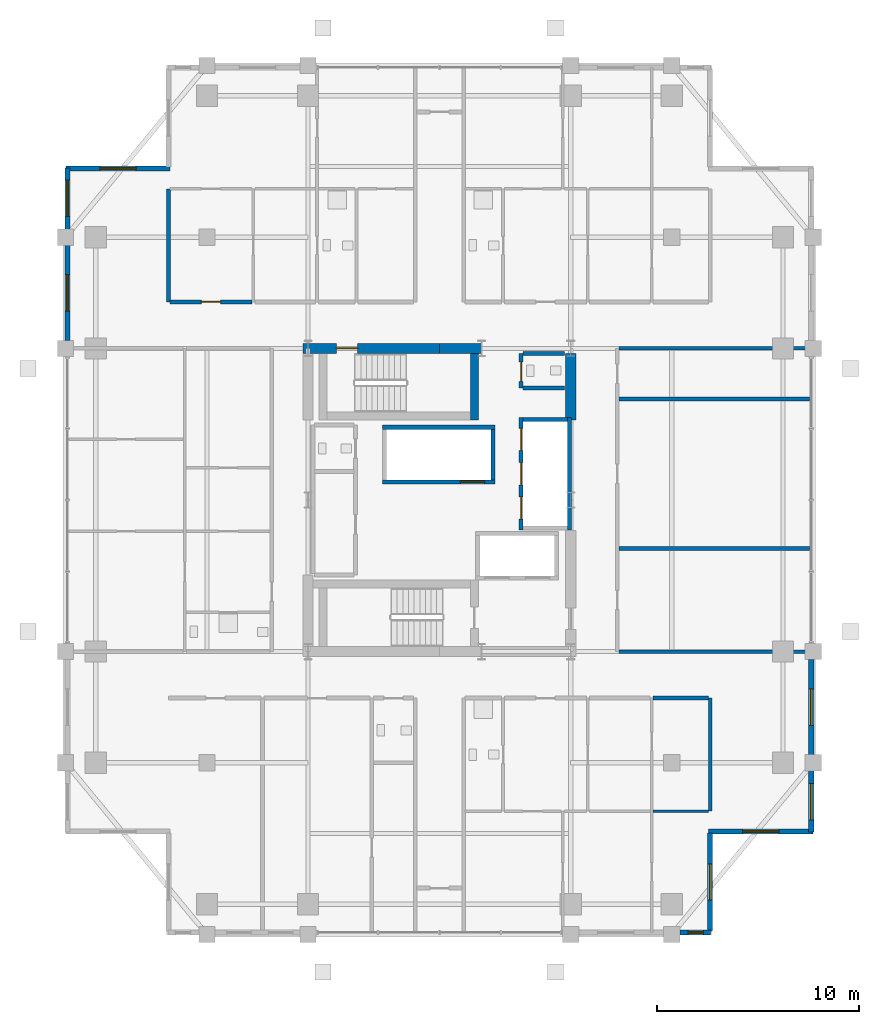
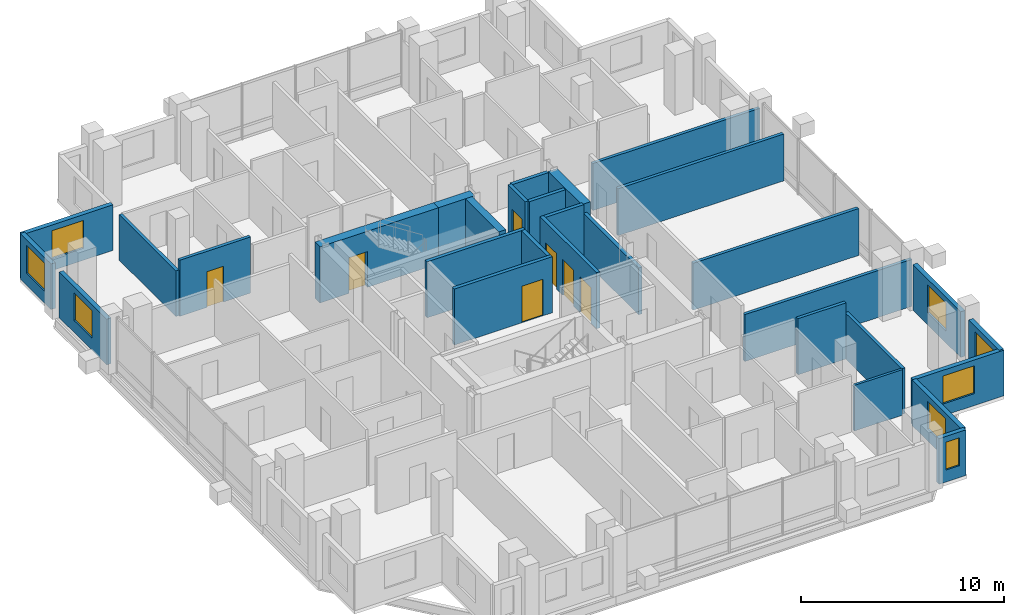
# One storey, part 20 of 24: 30 walls, 8 windows, 7 doors, 15 openings.
"""IFC4 building model written with IfcOpenShell, lengths in metres."""

from ifc_helpers import new_model, si_unit, direction, frame, frame_2d, origin, place, context, subcontext, project, spatial, rectangle, extrude, material, layer, layer_set, type_object, element, fill, save


model = new_model("IFC4")

# Units and contexts
model_context = context("Model", 3, precision=1e-05, world=origin(), true_north=direction((0.0, 1.0)))
body_context = subcontext(model_context, "Body", "Model", "MODEL_VIEW")
ifc_project = project(units=[si_unit("LENGTHUNIT", "METRE"), si_unit("AREAUNIT", "SQUARE_METRE"), si_unit("VOLUMEUNIT", "CUBIC_METRE"), si_unit("PLANEANGLEUNIT", "RADIAN"), si_unit("MASSUNIT", "GRAM", prefix="KILO")], contexts=[model_context])

# Site, building, storey
site_placement = place(None, origin())
site = spatial("IfcSite", under=ifc_project, at=site_placement, CompositionType="ELEMENT")
building_placement = place(site_placement, origin())
building = spatial("IfcBuilding", under=site, at=building_placement, Name="Barlavira Tower and Art Museum", CompositionType="ELEMENT")
storey_placement = place(building_placement, frame((0.0, 0.0, 190.800048828125)))
storey = spatial("IfcBuildingStorey", under=building, at=storey_placement, Name="L49", CompositionType="ELEMENT", Elevation=190.800048828125)

# Wall, opening, door
ifc_material_1 = material(Name="Concrete C60", Category="concrete")
ifc_layer_1 = layer(ifc_material_1, 0.5, Name="Concrete C60")
ifc_layer_set_1 = layer_set([ifc_layer_1], Name="Concrete C60")
wall_type_1 = type_object("IfcWallType", Name="Core Structural Shear Wall 500 Concrete C60", PredefinedType="SHEAR", material=ifc_layer_set_1)
wall_1_placement = place(storey_placement, frame((-6.75, 7.5, 0.0), z_axis=(0.0, 0.0, 1.0), x_axis=(1.0, 0.0, 0.0)))
wall_1 = element("IfcWall", 1, at=wall_1_placement, inside=storey, type_object=wall_type_1, Name="L49 Core Shear Wall CS-NW", PredefinedType="SHEAR", context=body_context, shape_type="SweptSolid", body=[
    extrude(rectangle(XDim=6.75, YDim=0.5, at=frame_2d((3.375, 0.0))), origin(), (0.0, 0.0, 1.0), 3.3798828125),
])
opening_1_placement = place(wall_1_placement, frame((1.64990234375, 0.0, 0.0)))
opening_1 = element("IfcOpeningElement", 2, at=opening_1_placement, cuts=wall_1, Name="Opening FD-90", PredefinedType="OPENING", context=body_context, shape_type="SweptSolid", body=[
    extrude(rectangle(XDim=1.050048828125, YDim=2.14990234375, at=frame_2d((0.52490234375, 1.074951171875))), frame((0.0, 0.260009765625, 0.0), z_axis=(0.0, -1.0, 0.0), x_axis=(1.0, 0.0, 0.0)), (0.0, 0.0, 1.0), 0.52001953125),
])
ifc_material_2 = material(Name="Brushed stainless steel", Category="steel")
door_type_1 = type_object("IfcDoorType", Name="Stair and Refuge Fire Door 1050x2150 FD90S", OperationType="NOTDEFINED", PredefinedType="DOOR", material=ifc_material_2)
door_1_placement = place(opening_1_placement, origin())
door_1 = element("IfcDoor", 3, at=door_1_placement, inside=storey, type_object=door_type_1, Name="L49 Stair ST-T2 Fire Door", OperationType="SINGLE_SWING_LEFT", OverallHeight=2.14990234375, OverallWidth=1.050048828125, PredefinedType="DOOR", context=body_context, shape_type="SweptSolid", body=[
    extrude(rectangle(XDim=1.050048828125, YDim=2.14990234375, at=frame_2d((0.52490234375, 1.074951171875))), frame((0.0, 0.02490234375, 0.0), z_axis=(0.0, -1.0, 0.0), x_axis=(1.0, 0.0, 0.0)), (0.0, 0.0, 1.0), 0.050048828125),
])
fill(opening_1, door_1)

# Walls
wall_2_placement = place(storey_placement, frame((0.0, 7.5, 0.0), z_axis=(0.0, 0.0, 1.0), x_axis=(1.0, 0.0, 0.0)))
element("IfcWall", 4, at=wall_2_placement, inside=storey, type_object=wall_type_1, Name="L49 Core Shear Wall CS-EN", PredefinedType="SHEAR", context=body_context, shape_type="SweptSolid", body=[
    extrude(rectangle(XDim=2.080078125, YDim=0.5, at=frame_2d((1.0400390625, 0.0))), origin(), (0.0, 0.0, 1.0), 3.3798828125),
])
wall_3_placement = place(storey_placement, frame((6.5, 3.949951171875, 0.0), z_axis=(0.0, 0.0, 1.0), x_axis=(0.0, 1.0, 0.0)))
element("IfcWall", 5, at=wall_3_placement, inside=storey, type_object=wall_type_1, Name="L49 Core Shear Wall CS-E2", PredefinedType="SHEAR", context=body_context, shape_type="SweptSolid", body=[
    extrude(rectangle(XDim=3.300048828125, YDim=0.5, at=frame_2d((1.64990234375, 0.0))), origin(), (0.0, 0.0, 1.0), 3.3798828125),
])

# Wall, openings, doors
ifc_material_3 = material(Name="Autoclaved aerated concrete masonry", Category="masonry")
ifc_layer_2 = layer(ifc_material_3, 0.199951171875, Name="Autoclaved aerated concrete masonry")
ifc_layer_set_2 = layer_set([ifc_layer_2], Name="Autoclaved aerated concrete masonry")
wall_type_2 = type_object("IfcWallType", Name="Fire Compartment and Shaft Wall 200", PredefinedType="SOLIDWALL", material=ifc_layer_set_2)
wall_4_placement = place(storey_placement, frame((4.050048828125, -1.489990234375, 0.0), z_axis=(0.0, 0.0, 1.0), x_axis=(0.0, 1.0, 0.0)))
wall_4 = element("IfcWall", 6, at=wall_4_placement, inside=storey, type_object=wall_type_2, Name="L49 Mid-Rise Lift Front Shaft Wall", PredefinedType="SOLIDWALL", context=body_context, shape_type="SweptSolid", body=[
    extrude(rectangle(XDim=5.580078125, YDim=0.199951171875, at=frame_2d((2.7900390625, 0.0))), origin(), (0.0, 0.0, 1.0), 3.3798828125),
])
opening_2_placement = place(wall_4_placement, frame((0.5400390625, 0.0, 0.0)))
opening_2 = element("IfcOpeningElement", 7, at=opening_2_placement, cuts=wall_4, Name="Opening LD-P", PredefinedType="OPENING", context=body_context, shape_type="SweptSolid", body=[
    extrude(rectangle(XDim=1.10009765625, YDim=2.14990234375, at=frame_2d((0.550048828125, 1.074951171875))), frame((0.0, 0.10986328125, 0.0), z_axis=(0.0, -1.0, 0.0), x_axis=(1.0, 0.0, 0.0)), (0.0, 0.0, 1.0), 0.219970703125),
])
opening_3_placement = place(wall_4_placement, frame((2.239990234375, 0.0, 0.0)))
opening_3 = element("IfcOpeningElement", 8, at=opening_3_placement, cuts=wall_4, Name="Opening LD-P", PredefinedType="OPENING", context=body_context, shape_type="SweptSolid", body=[
    extrude(rectangle(XDim=1.10009765625, YDim=2.14990234375, at=frame_2d((0.550048828125, 1.074951171875))), frame((0.0, 0.10986328125, 0.0), z_axis=(0.0, -1.0, 0.0), x_axis=(1.0, 0.0, 0.0)), (0.0, 0.0, 1.0), 0.219970703125),
])
opening_4_placement = place(wall_4_placement, frame((3.93994140625, 0.0, 0.0)))
opening_4 = element("IfcOpeningElement", 9, at=opening_4_placement, cuts=wall_4, Name="Opening LD-P", PredefinedType="OPENING", context=body_context, shape_type="SweptSolid", body=[
    extrude(rectangle(XDim=1.10009765625, YDim=2.14990234375, at=frame_2d((0.550048828125, 1.074951171875))), frame((0.0, 0.10986328125, 0.0), z_axis=(0.0, -1.0, 0.0), x_axis=(1.0, 0.0, 0.0)), (0.0, 0.0, 1.0), 0.219970703125),
])
door_type_2 = type_object("IfcDoorType", Name="Passenger Lift Sliding Landing Door 1100x2150 FD60", OperationType="NOTDEFINED", PredefinedType="DOOR", material=ifc_material_2)
door_2_placement = place(opening_2_placement, origin())
door_2 = element("IfcDoor", 10, at=door_2_placement, inside=storey, type_object=door_type_2, Name="L49 Lift PM1 Sliding Landing Door", OperationType="DOUBLE_DOOR_SLIDING", OverallHeight=2.14990234375, OverallWidth=1.10009765625, PredefinedType="DOOR", context=body_context, shape_type="SweptSolid", body=[
    extrude(rectangle(XDim=1.10009765625, YDim=2.14990234375, at=frame_2d((0.550048828125, 1.074951171875))), frame((0.0, 0.02490234375, 0.0), z_axis=(0.0, -1.0, 0.0), x_axis=(1.0, 0.0, 0.0)), (0.0, 0.0, 1.0), 0.050048828125),
])
fill(opening_2, door_2)
door_3_placement = place(opening_3_placement, origin())
door_3 = element("IfcDoor", 11, at=door_3_placement, inside=storey, type_object=door_type_2, Name="L49 Lift PM2 Sliding Landing Door", OperationType="DOUBLE_DOOR_SLIDING", OverallHeight=2.14990234375, OverallWidth=1.10009765625, PredefinedType="DOOR", context=body_context, shape_type="SweptSolid", body=[
    extrude(rectangle(XDim=1.10009765625, YDim=2.14990234375, at=frame_2d((0.550048828125, 1.074951171875))), frame((0.0, 0.02490234375, 0.0), z_axis=(0.0, -1.0, 0.0), x_axis=(1.0, 0.0, 0.0)), (0.0, 0.0, 1.0), 0.050048828125),
])
fill(opening_3, door_3)
door_4_placement = place(opening_4_placement, origin())
door_4 = element("IfcDoor", 12, at=door_4_placement, inside=storey, type_object=door_type_2, Name="L49 Lift PM3 Sliding Landing Door", OperationType="DOUBLE_DOOR_SLIDING", OverallHeight=2.14990234375, OverallWidth=1.10009765625, PredefinedType="DOOR", context=body_context, shape_type="SweptSolid", body=[
    extrude(rectangle(XDim=1.10009765625, YDim=2.14990234375, at=frame_2d((0.550048828125, 1.074951171875))), frame((0.0, 0.02490234375, 0.0), z_axis=(0.0, -1.0, 0.0), x_axis=(1.0, 0.0, 0.0)), (0.0, 0.0, 1.0), 0.050048828125),
])
fill(opening_4, door_4)

# Walls
wall_5_placement = place(storey_placement, frame((6.449951171875, -1.489990234375, 0.0), z_axis=(0.0, 0.0, 1.0), x_axis=(0.0, 1.0, 0.0)))
element("IfcWall", 13, at=wall_5_placement, inside=storey, type_object=wall_type_2, Name="L49 Mid-Rise Lift Back Shaft Wall", PredefinedType="SOLIDWALL", context=body_context, shape_type="SweptSolid", body=[
    extrude(rectangle(XDim=5.580078125, YDim=0.199951171875, at=frame_2d((2.7900390625, 0.0))), origin(), (0.0, 0.0, 1.0), 2.825927734375),
])
wall_6_placement = place(storey_placement, frame((4.14990234375, 3.989990234375, 0.0), z_axis=(0.0, 0.0, 1.0), x_axis=(1.0, 0.0, 0.0)))
element("IfcWall", 14, at=wall_6_placement, inside=storey, type_object=wall_type_2, Name="L49 Mid-Rise Lift North Shaft Wall", PredefinedType="SOLIDWALL", context=body_context, shape_type="SweptSolid", body=[
    extrude(rectangle(XDim=2.2001953125, YDim=0.199951171875, at=frame_2d((1.10009765625, 0.0))), origin(), (0.0, 0.0, 1.0), 3.3798828125),
])

# Wall, opening, door
wall_7_placement = place(storey_placement, frame((-2.820068359375, 0.89990234375, 0.0), z_axis=(0.0, 0.0, 1.0), x_axis=(1.0, 0.0, 0.0)))
wall_7 = element("IfcWall", 15, at=wall_7_placement, inside=storey, type_object=wall_type_2, Name="L49 High-Rise & Service Lift Front Wall", PredefinedType="SOLIDWALL", context=body_context, shape_type="SweptSolid", body=[
    extrude(rectangle(XDim=5.580078125, YDim=0.199951171875, at=frame_2d((2.7900390625, 0.0))), origin(), (0.0, 0.0, 1.0), 3.3798828125),
])
opening_5_placement = place(wall_7_placement, frame((3.860107421875, 0.0, 0.0)))
opening_5 = element("IfcOpeningElement", 16, at=opening_5_placement, cuts=wall_7, Name="Opening LD-F", PredefinedType="OPENING", context=body_context, shape_type="SweptSolid", body=[
    extrude(rectangle(XDim=1.199951171875, YDim=2.199951171875, at=frame_2d((0.60009765625, 1.10009765625))), frame((0.0, 0.10986328125, 0.0), z_axis=(0.0, -1.0, 0.0), x_axis=(1.0, 0.0, 0.0)), (0.0, 0.0, 1.0), 0.219970703125),
])
door_type_3 = type_object("IfcDoorType", Name="Firefighting and Service Lift Sliding Door 1200x2200 FD120", OperationType="NOTDEFINED", PredefinedType="DOOR", material=ifc_material_2)
door_5_placement = place(opening_5_placement, origin())
door_5 = element("IfcDoor", 17, at=door_5_placement, inside=storey, type_object=door_type_3, Name="L49 Stretcher Service Lift SL1 Sliding Door", OperationType="DOUBLE_DOOR_SLIDING", OverallHeight=2.199951171875, OverallWidth=1.199951171875, PredefinedType="DOOR", context=body_context, shape_type="SweptSolid", body=[
    extrude(rectangle(XDim=1.199951171875, YDim=2.199951171875, at=frame_2d((0.60009765625, 1.10009765625))), frame((0.0, 0.02490234375, 0.0), z_axis=(0.0, -1.0, 0.0), x_axis=(1.0, 0.0, 0.0)), (0.0, 0.0, 1.0), 0.050048828125),
])
fill(opening_5, door_5)

# Walls
wall_8_placement = place(storey_placement, frame((-2.820068359375, 3.60009765625, 0.0), z_axis=(0.0, 0.0, 1.0), x_axis=(1.0, 0.0, 0.0)))
element("IfcWall", 18, at=wall_8_placement, inside=storey, type_object=wall_type_2, Name="L49 High-Rise & Service Lift Back Wall", PredefinedType="SOLIDWALL", context=body_context, shape_type="SweptSolid", body=[
    extrude(rectangle(XDim=5.580078125, YDim=0.199951171875, at=frame_2d((2.7900390625, 0.0))), origin(), (0.0, 0.0, 1.0), 3.3798828125),
])
wall_9_placement = place(storey_placement, frame((2.659912109375, 1.0, 0.0), z_axis=(0.0, 0.0, 1.0), x_axis=(0.0, 1.0, 0.0)))
element("IfcWall", 19, at=wall_9_placement, inside=storey, type_object=wall_type_2, Name="L49 High-Rise & Service Lift East Wall", PredefinedType="SOLIDWALL", context=body_context, shape_type="SweptSolid", body=[
    extrude(rectangle(XDim=2.5, YDim=0.199951171875, at=frame_2d((1.25, 0.0))), origin(), (0.0, 0.0, 1.0), 3.3798828125),
])

# Wall, opening, door
wall_10_placement = place(storey_placement, frame((4.050048828125, 5.550048828125, 0.0), z_axis=(0.0, 0.0, 1.0), x_axis=(0.0, 1.0, 0.0)))
wall_10 = element("IfcWall", 20, at=wall_10_placement, inside=storey, type_object=wall_type_2, Name="L49 Partition Wall 17", PredefinedType="SOLIDWALL", context=body_context, shape_type="SweptSolid", body=[
    extrude(rectangle(XDim=1.699951171875, YDim=0.199951171875, at=frame_2d((0.85009765625, 0.0))), origin(), (0.0, 0.0, 1.0), 3.3798828125),
])
opening_6_placement = place(wall_10_placement, frame((0.324951171875, 0.0, 0.0)))
opening_6 = element("IfcOpeningElement", 21, at=opening_6_placement, cuts=wall_10, Name="Opening FD-60", PredefinedType="OPENING", context=body_context, shape_type="SweptSolid", body=[
    extrude(rectangle(XDim=0.949951171875, YDim=2.14990234375, at=frame_2d((0.47509765625, 1.074951171875))), frame((0.0, 0.10986328125, 0.0), z_axis=(0.0, -1.0, 0.0), x_axis=(1.0, 0.0, 0.0)), (0.0, 0.0, 1.0), 0.219970703125),
])
door_type_4 = type_object("IfcDoorType", Name="Apartment Entrance and Riser Fire Door 950x2150 FD60S", OperationType="NOTDEFINED", PredefinedType="DOOR", material=ifc_material_2)
door_6_placement = place(opening_6_placement, origin())
door_6 = element("IfcDoor", 22, at=door_6_placement, inside=storey, type_object=door_type_4, Name="Core Accessible Washroom Door", OperationType="SINGLE_SWING_LEFT", OverallHeight=2.14990234375, OverallWidth=0.949951171875, PredefinedType="DOOR", context=body_context, shape_type="SweptSolid", body=[
    extrude(rectangle(XDim=0.949951171875, YDim=2.14990234375, at=frame_2d((0.47509765625, 1.074951171875))), frame((0.0, 0.02490234375, 0.0), z_axis=(0.0, -1.0, 0.0), x_axis=(1.0, 0.0, 0.0)), (0.0, 0.0, 1.0), 0.050048828125),
])
fill(opening_6, door_6)

# Walls
for number, where, z_axis, x_axis, name in (
    (23, (4.1298828125, 5.550048828125, 0.0), (0.0, 0.0, 1.0), (1.0, 0.0, 0.0), "L49 Partition Wall 54"),
    (24, (4.1298828125, 7.25, 0.0), (0.0, 0.0, 1.0), (1.0, 0.0, 0.0), "L49 Partition Wall 55"),
):
    element("IfcWall", number, at=place(storey_placement, frame(where, z_axis=z_axis, x_axis=x_axis)), inside=storey, type_object=wall_type_2, Name=name, PredefinedType="SOLIDWALL", context=body_context, shape_type="SweptSolid", body=[
        extrude(rectangle(XDim=2.070068359375, YDim=0.199951171875, at=frame_2d((1.03515625, 0.0))), origin(), (0.0, 0.0, 1.0), 3.3798828125),
    ])
ifc_material_4 = material(Name="Gypsum acoustic stud partition", Category="gypsum")
ifc_layer_3 = layer(ifc_material_4, 0.179931640625, Name="Gypsum acoustic stud partition")
ifc_layer_set_3 = layer_set([ifc_layer_3], Name="Gypsum acoustic stud partition")
wall_type_3 = type_object("IfcWallType", Name="Inter-Tenancy Party Partition Wall 180", PredefinedType="PARTITIONING", material=ifc_layer_set_3)
for number, where, z_axis, x_axis, name in (
    (25, (-13.39990234375, 9.800048828125, 0.0), (0.0, 0.0, 1.0), (0.0, 1.0, 0.0), "L49 Partition Wall 1"),
    (26, (13.39990234375, -15.39990234375, 0.0), (0.0, 0.0, 1.0), (0.0, 1.0, 0.0), "L49 Partition Wall 25"),
):
    element("IfcWall", number, at=place(storey_placement, frame(where, z_axis=z_axis, x_axis=x_axis)), inside=storey, type_object=wall_type_3, Name=name, PredefinedType="PARTITIONING", context=body_context, shape_type="SweptSolid", body=[
        extrude(rectangle(XDim=5.599853515625, YDim=0.179931640625, at=frame_2d((2.7998046875, 0.0))), origin(), (0.0, 0.0, 1.0), 2.748046875),
    ])
wall_11_placement = place(storey_placement, frame((10.580078125, -9.800048828125, 0.0), z_axis=(0.0, 0.0, 1.0), x_axis=(1.0, 0.0, 0.0)))
element("IfcWall", 27, at=wall_11_placement, inside=storey, type_object=wall_type_3, Name="L49 Partition Wall 40", PredefinedType="PARTITIONING", context=body_context, shape_type="SweptSolid", body=[
    extrude(rectangle(XDim=2.739990234375, YDim=0.179931640625, at=frame_2d((1.3701171875, 0.0))), origin(), (0.0, 0.0, 1.0), 3.3798828125),
])
wall_12_placement = place(storey_placement, frame((8.8798828125, -7.5, 0.0), z_axis=(0.0, 0.0, 1.0), x_axis=(1.0, 0.0, 0.0)))
element("IfcWall", 28, at=wall_12_placement, inside=storey, type_object=wall_type_3, Name="L49 Partition Wall 43", PredefinedType="PARTITIONING", context=body_context, shape_type="SweptSolid", body=[
    extrude(rectangle(XDim=9.52001953125, YDim=0.179931640625, at=frame_2d((4.760009765625, 0.0))), origin(), (0.0, 0.0, 1.0), 2.825927734375),
])
for number, where, z_axis, x_axis, name in (
    (29, (8.8798828125, -2.39990234375, 0.0), (0.0, 0.0, 1.0), (1.0, 0.0, 0.0), "L49 Partition Wall 46"),
    (30, (8.8798828125, 5.0, 0.0), (0.0, 0.0, 1.0), (1.0, 0.0, 0.0), "L49 Partition Wall 53"),
):
    element("IfcWall", number, at=place(storey_placement, frame(where, z_axis=z_axis, x_axis=x_axis)), inside=storey, type_object=wall_type_3, Name=name, PredefinedType="PARTITIONING", context=body_context, shape_type="SweptSolid", body=[
        extrude(rectangle(XDim=9.440185546875, YDim=0.179931640625, at=frame_2d((4.72021484375, 0.0))), origin(), (0.0, 0.0, 1.0), 2.825927734375),
    ])
wall_13_placement = place(storey_placement, frame((8.8798828125, 7.5, 0.0), z_axis=(0.0, 0.0, 1.0), x_axis=(1.0, 0.0, 0.0)))
element("IfcWall", 31, at=wall_13_placement, inside=storey, type_object=wall_type_3, Name="L49 Partition Wall 58", PredefinedType="PARTITIONING", context=body_context, shape_type="SweptSolid", body=[
    extrude(rectangle(XDim=9.52001953125, YDim=0.179931640625, at=frame_2d((4.760009765625, 0.0))), origin(), (0.0, 0.0, 1.0), 2.825927734375),
])

# Wall, opening, door
wall_14_placement = place(storey_placement, frame((-13.320068359375, 9.800048828125, 0.0), z_axis=(0.0, 0.0, 1.0), x_axis=(1.0, 0.0, 0.0)))
wall_14 = element("IfcWall", 32, at=wall_14_placement, inside=storey, type_object=wall_type_3, Name="L49 Partition Wall 59", PredefinedType="PARTITIONING", context=body_context, shape_type="SweptSolid", body=[
    extrude(rectangle(XDim=4.0400390625, YDim=0.179931640625, at=frame_2d((2.02001953125, 0.0))), origin(), (0.0, 0.0, 1.0), 3.3798828125),
])
opening_7_placement = place(wall_14_placement, frame((1.544921875, 0.0, 0.0)))
opening_7 = element("IfcOpeningElement", 33, at=opening_7_placement, cuts=wall_14, Name="Opening FD-60", PredefinedType="OPENING", context=body_context, shape_type="SweptSolid", body=[
    extrude(rectangle(XDim=0.949951171875, YDim=2.14990234375, at=frame_2d((0.47509765625, 1.074951171875))), frame((0.0, 0.10009765625, 0.0), z_axis=(0.0, -1.0, 0.0), x_axis=(1.0, 0.0, 0.0)), (0.0, 0.0, 1.0), 0.199951171875),
])
door_7_placement = place(opening_7_placement, origin())
door_7 = element("IfcDoor", 34, at=door_7_placement, inside=storey, type_object=door_type_4, Name="Apartment Entrance Hall NW1 Door", OperationType="SINGLE_SWING_LEFT", OverallHeight=2.14990234375, OverallWidth=0.949951171875, PredefinedType="DOOR", context=body_context, shape_type="SweptSolid", body=[
    extrude(rectangle(XDim=0.949951171875, YDim=2.14990234375, at=frame_2d((0.47509765625, 1.074951171875))), frame((0.0, 0.02490234375, 0.0), z_axis=(0.0, -1.0, 0.0), x_axis=(1.0, 0.0, 0.0)), (0.0, 0.0, 1.0), 0.050048828125),
])
fill(opening_7, door_7)

# Wall
ifc_layer_4 = layer(ifc_material_4, 0.139892578125, Name="Gypsum acoustic stud partition")
ifc_layer_set_4 = layer_set([ifc_layer_4], Name="Gypsum acoustic stud partition")
wall_type_4 = type_object("IfcWallType", Name="Moisture-Resistant Bathroom Partition 140", PredefinedType="PARTITIONING", material=ifc_layer_set_4)
wall_15_placement = place(storey_placement, frame((10.580078125, -15.39990234375, 0.0), z_axis=(0.0, 0.0, 1.0), x_axis=(1.0, 0.0, 0.0)))
element("IfcWall", 35, at=wall_15_placement, inside=storey, type_object=wall_type_4, Name="L49 Partition Wall 32", PredefinedType="PARTITIONING", context=body_context, shape_type="SweptSolid", body=[
    extrude(rectangle(XDim=2.739990234375, YDim=0.139892578125, at=frame_2d((1.3701171875, 0.0))), origin(), (0.0, 0.0, 1.0), 2.748046875),
])

# Wall, opening, window
ifc_material_5 = material(Name="Precast concrete C40", Category="concrete")
ifc_layer_5 = layer(ifc_material_5, 0.25, Name="Precast concrete C40")
ifc_layer_set_5 = layer_set([ifc_layer_5], Name="Precast concrete C40")
wall_type_5 = type_object("IfcWallType", Name="Notched Corner Spandrel Wall 250 Precast Concrete C40", PredefinedType="SOLIDWALL", material=ifc_layer_set_5)
wall_16_placement = place(storey_placement, frame((11.89501953125, -21.39990234375, 0.0), z_axis=(0.0, 0.0, 1.0), x_axis=(1.0, 0.0, 0.0)))
wall_16 = element("IfcWall", 36, at=wall_16_placement, inside=storey, type_object=wall_type_5, Name="L49 Coastal Facade Pier Wall CW3-L49-S-5", PredefinedType="SOLIDWALL", context=body_context, shape_type="SweptSolid", body=[
    extrude(rectangle(XDim=1.530029296875, YDim=0.25, at=frame_2d((0.76513671875, 0.0))), origin(), (0.0, 0.0, 1.0), 2.748046875),
])
opening_8_placement = place(wall_16_placement, frame((0.407958984375, 0.0, 0.719970703125)))
opening_8 = element("IfcOpeningElement", 37, at=opening_8_placement, cuts=wall_16, Name="Opening WN-06", PredefinedType="OPENING", context=body_context, shape_type="SweptSolid", body=[
    extrude(rectangle(XDim=0.760009765625, YDim=1.679931640625, at=frame_2d((0.3798828125, 0.83984375))), frame((0.0, 0.135009765625, 0.0), z_axis=(0.0, -1.0, 0.0), x_axis=(1.0, 0.0, 0.0)), (0.0, 0.0, 1.0), 0.27001953125),
])
ifc_material_6 = material(Name="Low-iron coastal laminated glass", Category="glass")
window_type_1 = type_object("IfcWindowType", Name="Recessed Narrow Pier Window 760x1680", PartitioningType="SINGLE_PANEL", PredefinedType="WINDOW", material=ifc_material_6)
window_1_placement = place(opening_8_placement, origin())
window_1 = element("IfcWindow", 38, at=window_1_placement, inside=storey, type_object=window_type_1, Name="L49 Punched Facade Window EWP-CW3-L49-S-5-1", OverallHeight=1.679931640625, OverallWidth=0.760009765625, PartitioningType="SINGLE_PANEL", PredefinedType="WINDOW", context=body_context, shape_type="SweptSolid", body=[
    extrude(rectangle(XDim=0.760009765625, YDim=1.679931640625, at=frame_2d((0.3798828125, 0.83984375))), frame((0.0, 0.030029296875, 0.0), z_axis=(0.0, -1.0, 0.0), x_axis=(1.0, 0.0, 0.0)), (0.0, 0.0, 1.0), 0.06005859375),
])
fill(opening_8, window_1)

wall_17_placement = place(storey_placement, frame((-18.39990234375, 16.425048828125, 0.0), z_axis=(0.0, 0.0, 1.0), x_axis=(0.0, -1.0, 0.0)))
wall_17 = element("IfcWall", 39, at=wall_17_placement, inside=storey, type_object=wall_type_5, Name="L49 Coastal Facade Pier Wall CW3-L49-W-1", PredefinedType="SOLIDWALL", context=body_context, shape_type="SweptSolid", body=[
    extrude(rectangle(XDim=3.030029296875, YDim=0.25, at=frame_2d((1.51513671875, 0.0))), origin(), (0.0, 0.0, 1.0), 2.748046875),
])
opening_9_placement = place(wall_17_placement, frame((0.593017578125, 0.0, 0.719970703125)))
opening_9 = element("IfcOpeningElement", 40, at=opening_9_placement, cuts=wall_17, Name="Opening WN-01", PredefinedType="OPENING", context=body_context, shape_type="SweptSolid", body=[
    extrude(rectangle(XDim=1.800048828125, YDim=1.679931640625, at=frame_2d((0.89990234375, 0.83984375))), frame((0.0, 0.135009765625, 0.0), z_axis=(0.0, -1.0, 0.0), x_axis=(1.0, 0.0, 0.0)), (0.0, 0.0, 1.0), 0.27001953125),
])
window_type_2 = type_object("IfcWindowType", Name="Recessed Notch Corner Punch Window 1800x1680", PartitioningType="SINGLE_PANEL", PredefinedType="WINDOW", material=ifc_material_6)
window_2_placement = place(opening_9_placement, origin())
window_2 = element("IfcWindow", 41, at=window_2_placement, inside=storey, type_object=window_type_2, Name="L49 Punched Facade Window EWP-CW3-L49-W-1-1", OverallHeight=1.679931640625, OverallWidth=1.800048828125, PartitioningType="SINGLE_PANEL", PredefinedType="WINDOW", context=body_context, shape_type="SweptSolid", body=[
    extrude(rectangle(XDim=1.800048828125, YDim=1.679931640625, at=frame_2d((0.89990234375, 0.83984375))), frame((0.0, 0.030029296875, 0.0), z_axis=(0.0, -1.0, 0.0), x_axis=(1.0, 0.0, 0.0)), (0.0, 0.0, 1.0), 0.06005859375),
])
fill(opening_9, window_2)

wall_18_placement = place(storey_placement, frame((-18.39990234375, 12.60498046875, 0.0), z_axis=(0.0, 0.0, 1.0), x_axis=(0.0, -1.0, 0.0)))
wall_18 = element("IfcWall", 42, at=wall_18_placement, inside=storey, type_object=wall_type_5, Name="L49 Coastal Facade Pier Wall CW3-L49-W-2", PredefinedType="SOLIDWALL", context=body_context, shape_type="SweptSolid", body=[
    extrude(rectangle(XDim=4.7099609375, YDim=0.25, at=frame_2d((2.35498046875, 0.0))), origin(), (0.0, 0.0, 1.0), 2.748046875),
])
opening_10_placement = place(wall_18_placement, frame((1.455078125, 0.0, 0.719970703125)))
opening_10 = element("IfcOpeningElement", 43, at=opening_10_placement, cuts=wall_18, Name="Opening WN-01", PredefinedType="OPENING", context=body_context, shape_type="SweptSolid", body=[
    extrude(rectangle(XDim=1.800048828125, YDim=1.679931640625, at=frame_2d((0.89990234375, 0.83984375))), frame((0.0, 0.135009765625, 0.0), z_axis=(0.0, -1.0, 0.0), x_axis=(1.0, 0.0, 0.0)), (0.0, 0.0, 1.0), 0.27001953125),
])
window_3_placement = place(opening_10_placement, origin())
window_3 = element("IfcWindow", 44, at=window_3_placement, inside=storey, type_object=window_type_2, Name="L49 Punched Facade Window EWP-CW3-L49-W-2-1", OverallHeight=1.679931640625, OverallWidth=1.800048828125, PartitioningType="SINGLE_PANEL", PredefinedType="WINDOW", context=body_context, shape_type="SweptSolid", body=[
    extrude(rectangle(XDim=1.800048828125, YDim=1.679931640625, at=frame_2d((0.89990234375, 0.83984375))), frame((0.0, 0.030029296875, 0.0), z_axis=(0.0, -1.0, 0.0), x_axis=(1.0, 0.0, 0.0)), (0.0, 0.0, 1.0), 0.06005859375),
])
fill(opening_10, window_3)

wall_19_placement = place(storey_placement, frame((18.39990234375, -16.425048828125, 0.0), z_axis=(0.0, 0.0, 1.0), x_axis=(0.0, 1.0, 0.0)))
wall_19 = element("IfcWall", 45, at=wall_19_placement, inside=storey, type_object=wall_type_5, Name="L49 Coastal Facade Pier Wall CW3-L49-E-1", PredefinedType="SOLIDWALL", context=body_context, shape_type="SweptSolid", body=[
    extrude(rectangle(XDim=3.030029296875, YDim=0.25, at=frame_2d((1.51513671875, 0.0))), origin(), (0.0, 0.0, 1.0), 2.748046875),
])
opening_11_placement = place(wall_19_placement, frame((0.593017578125, 0.0, 0.719970703125)))
opening_11 = element("IfcOpeningElement", 46, at=opening_11_placement, cuts=wall_19, Name="Opening WN-01", PredefinedType="OPENING", context=body_context, shape_type="SweptSolid", body=[
    extrude(rectangle(XDim=1.800048828125, YDim=1.679931640625, at=frame_2d((0.89990234375, 0.83984375))), frame((0.0, 0.135009765625, 0.0), z_axis=(0.0, -1.0, 0.0), x_axis=(1.0, 0.0, 0.0)), (0.0, 0.0, 1.0), 0.27001953125),
])
window_4_placement = place(opening_11_placement, origin())
window_4 = element("IfcWindow", 47, at=window_4_placement, inside=storey, type_object=window_type_2, Name="L49 Punched Facade Window EWP-CW3-L49-E-1-1", OverallHeight=1.679931640625, OverallWidth=1.800048828125, PartitioningType="SINGLE_PANEL", PredefinedType="WINDOW", context=body_context, shape_type="SweptSolid", body=[
    extrude(rectangle(XDim=1.800048828125, YDim=1.679931640625, at=frame_2d((0.89990234375, 0.83984375))), frame((0.0, 0.030029296875, 0.0), z_axis=(0.0, -1.0, 0.0), x_axis=(1.0, 0.0, 0.0)), (0.0, 0.0, 1.0), 0.06005859375),
])
fill(opening_11, window_4)

wall_20_placement = place(storey_placement, frame((18.39990234375, -12.60498046875, 0.0), z_axis=(0.0, 0.0, 1.0), x_axis=(0.0, 1.0, 0.0)))
wall_20 = element("IfcWall", 48, at=wall_20_placement, inside=storey, type_object=wall_type_5, Name="L49 Coastal Facade Pier Wall CW3-L49-E-2", PredefinedType="SOLIDWALL", context=body_context, shape_type="SweptSolid", body=[
    extrude(rectangle(XDim=4.7099609375, YDim=0.25, at=frame_2d((2.35498046875, 0.0))), origin(), (0.0, 0.0, 1.0), 2.748046875),
])
opening_12_placement = place(wall_20_placement, frame((1.455078125, 0.0, 0.719970703125)))
opening_12 = element("IfcOpeningElement", 49, at=opening_12_placement, cuts=wall_20, Name="Opening WN-01", PredefinedType="OPENING", context=body_context, shape_type="SweptSolid", body=[
    extrude(rectangle(XDim=1.800048828125, YDim=1.679931640625, at=frame_2d((0.89990234375, 0.83984375))), frame((0.0, 0.135009765625, 0.0), z_axis=(0.0, -1.0, 0.0), x_axis=(1.0, 0.0, 0.0)), (0.0, 0.0, 1.0), 0.27001953125),
])
window_5_placement = place(opening_12_placement, origin())
window_5 = element("IfcWindow", 50, at=window_5_placement, inside=storey, type_object=window_type_2, Name="L49 Punched Facade Window EWP-CW3-L49-E-2-1", OverallHeight=1.679931640625, OverallWidth=1.800048828125, PartitioningType="SINGLE_PANEL", PredefinedType="WINDOW", context=body_context, shape_type="SweptSolid", body=[
    extrude(rectangle(XDim=1.800048828125, YDim=1.679931640625, at=frame_2d((0.89990234375, 0.83984375))), frame((0.0, 0.030029296875, 0.0), z_axis=(0.0, -1.0, 0.0), x_axis=(1.0, 0.0, 0.0)), (0.0, 0.0, 1.0), 0.06005859375),
])
fill(opening_12, window_5)

wall_21_placement = place(storey_placement, frame((13.39990234375, -21.320068359375, 0.0), z_axis=(0.0, 0.0, 1.0), x_axis=(0.0, 1.0, 0.0)))
wall_21 = element("IfcWall", 51, at=wall_21_placement, inside=storey, type_object=wall_type_5, Name="L49 Notch Corner Wall SE1", PredefinedType="SOLIDWALL", context=body_context, shape_type="SweptSolid", body=[
    extrude(rectangle(XDim=4.840087890625, YDim=0.25, at=frame_2d((2.419921875, 0.0))), origin(), (0.0, 0.0, 1.0), 2.748046875),
])
opening_13_placement = place(wall_21_placement, frame((1.52001953125, 0.0, 0.719970703125)))
opening_13 = element("IfcOpeningElement", 52, at=opening_13_placement, cuts=wall_21, Name="Opening WN-01", PredefinedType="OPENING", context=body_context, shape_type="SweptSolid", body=[
    extrude(rectangle(XDim=1.800048828125, YDim=1.679931640625, at=frame_2d((0.89990234375, 0.83984375))), frame((0.0, 0.135009765625, 0.0), z_axis=(0.0, -1.0, 0.0), x_axis=(1.0, 0.0, 0.0)), (0.0, 0.0, 1.0), 0.27001953125),
])
window_6_placement = place(opening_13_placement, origin())
window_6 = element("IfcWindow", 53, at=window_6_placement, inside=storey, type_object=window_type_2, Name="L49 Punched Facade Window EW-NTC-L49-SE1-1", OverallHeight=1.679931640625, OverallWidth=1.800048828125, PartitioningType="SINGLE_PANEL", PredefinedType="WINDOW", context=body_context, shape_type="SweptSolid", body=[
    extrude(rectangle(XDim=1.800048828125, YDim=1.679931640625, at=frame_2d((0.89990234375, 0.83984375))), frame((0.0, 0.030029296875, 0.0), z_axis=(0.0, -1.0, 0.0), x_axis=(1.0, 0.0, 0.0)), (0.0, 0.0, 1.0), 0.06005859375),
])
fill(opening_13, window_6)

wall_22_placement = place(storey_placement, frame((13.320068359375, -16.39990234375, 0.0), z_axis=(0.0, 0.0, 1.0), x_axis=(1.0, 0.0, 0.0)))
wall_22 = element("IfcWall", 54, at=wall_22_placement, inside=storey, type_object=wall_type_5, Name="L49 Notch Corner Wall SE2", PredefinedType="SOLIDWALL", context=body_context, shape_type="SweptSolid", body=[
    extrude(rectangle(XDim=5.159912109375, YDim=0.25, at=frame_2d((2.580078125, 0.0))), origin(), (0.0, 0.0, 1.0), 2.748046875),
])
opening_14_placement = place(wall_22_placement, frame((1.679931640625, 0.0, 0.719970703125)))
opening_14 = element("IfcOpeningElement", 55, at=opening_14_placement, cuts=wall_22, Name="Opening WN-01", PredefinedType="OPENING", context=body_context, shape_type="SweptSolid", body=[
    extrude(rectangle(XDim=1.800048828125, YDim=1.679931640625, at=frame_2d((0.89990234375, 0.83984375))), frame((0.0, 0.135009765625, 0.0), z_axis=(0.0, -1.0, 0.0), x_axis=(1.0, 0.0, 0.0)), (0.0, 0.0, 1.0), 0.27001953125),
])
window_7_placement = place(opening_14_placement, origin())
window_7 = element("IfcWindow", 56, at=window_7_placement, inside=storey, type_object=window_type_2, Name="L49 Punched Facade Window EW-NTC-L49-SE2-1", OverallHeight=1.679931640625, OverallWidth=1.800048828125, PartitioningType="SINGLE_PANEL", PredefinedType="WINDOW", context=body_context, shape_type="SweptSolid", body=[
    extrude(rectangle(XDim=1.800048828125, YDim=1.679931640625, at=frame_2d((0.89990234375, 0.83984375))), frame((0.0, 0.030029296875, 0.0), z_axis=(0.0, -1.0, 0.0), x_axis=(1.0, 0.0, 0.0)), (0.0, 0.0, 1.0), 0.06005859375),
])
fill(opening_14, window_7)

wall_23_placement = place(storey_placement, frame((-13.320068359375, 16.39990234375, 0.0), z_axis=(0.0, 0.0, 1.0), x_axis=(-1.0, 0.0, 0.0)))
wall_23 = element("IfcWall", 57, at=wall_23_placement, inside=storey, type_object=wall_type_5, Name="L49 Notch Corner Wall NW2", PredefinedType="SOLIDWALL", context=body_context, shape_type="SweptSolid", body=[
    extrude(rectangle(XDim=5.159912109375, YDim=0.25, at=frame_2d((2.580078125, 0.0))), origin(), (0.0, 0.0, 1.0), 2.748046875),
])
opening_15_placement = place(wall_23_placement, frame((1.679931640625, 0.0, 0.719970703125)))
opening_15 = element("IfcOpeningElement", 58, at=opening_15_placement, cuts=wall_23, Name="Opening WN-01", PredefinedType="OPENING", context=body_context, shape_type="SweptSolid", body=[
    extrude(rectangle(XDim=1.800048828125, YDim=1.679931640625, at=frame_2d((0.89990234375, 0.83984375))), frame((0.0, 0.135009765625, 0.0), z_axis=(0.0, -1.0, 0.0), x_axis=(1.0, 0.0, 0.0)), (0.0, 0.0, 1.0), 0.27001953125),
])
window_8_placement = place(opening_15_placement, origin())
window_8 = element("IfcWindow", 59, at=window_8_placement, inside=storey, type_object=window_type_2, Name="L49 Punched Facade Window EW-NTC-L49-NW2-1", OverallHeight=1.679931640625, OverallWidth=1.800048828125, PartitioningType="SINGLE_PANEL", PredefinedType="WINDOW", context=body_context, shape_type="SweptSolid", body=[
    extrude(rectangle(XDim=1.800048828125, YDim=1.679931640625, at=frame_2d((0.89990234375, 0.83984375))), frame((0.0, 0.030029296875, 0.0), z_axis=(0.0, -1.0, 0.0), x_axis=(1.0, 0.0, 0.0)), (0.0, 0.0, 1.0), 0.06005859375),
])
fill(opening_15, window_8)

# Wall
ifc_material_7 = material(Name="Concrete C55", Category="concrete")
ifc_layer_6 = layer(ifc_material_7, 0.39990234375, Name="Concrete C55")
ifc_layer_set_6 = layer_set([ifc_layer_6], Name="Concrete C55")
wall_type_6 = type_object("IfcWallType", Name="Upper Core Shear Wall 400 Concrete C55", PredefinedType="SHEAR", material=ifc_layer_set_6)
wall_24_placement = place(storey_placement, frame((1.72998046875, 3.949951171875, 0.0), z_axis=(0.0, 0.0, 1.0), x_axis=(0.0, 1.0, 0.0)))
element("IfcWall", 60, at=wall_24_placement, inside=storey, type_object=wall_type_6, Name="L49 ST-T2 East Half-Landing Wall", PredefinedType="SHEAR", context=body_context, shape_type="SweptSolid", body=[
    extrude(rectangle(XDim=3.300048828125, YDim=0.39990234375, at=frame_2d((1.64990234375, 0.0))), origin(), (0.0, 0.0, 1.0), 3.3798828125),
])

save(model, "model.ifc")
